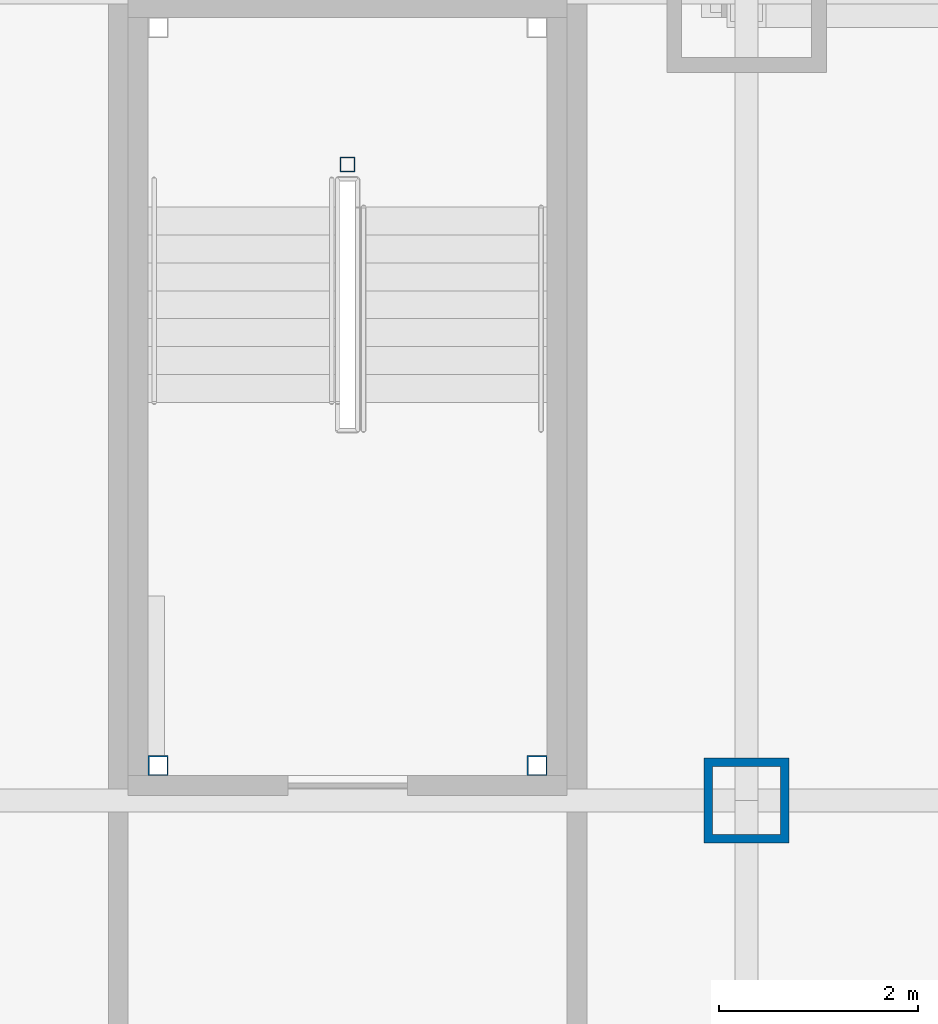
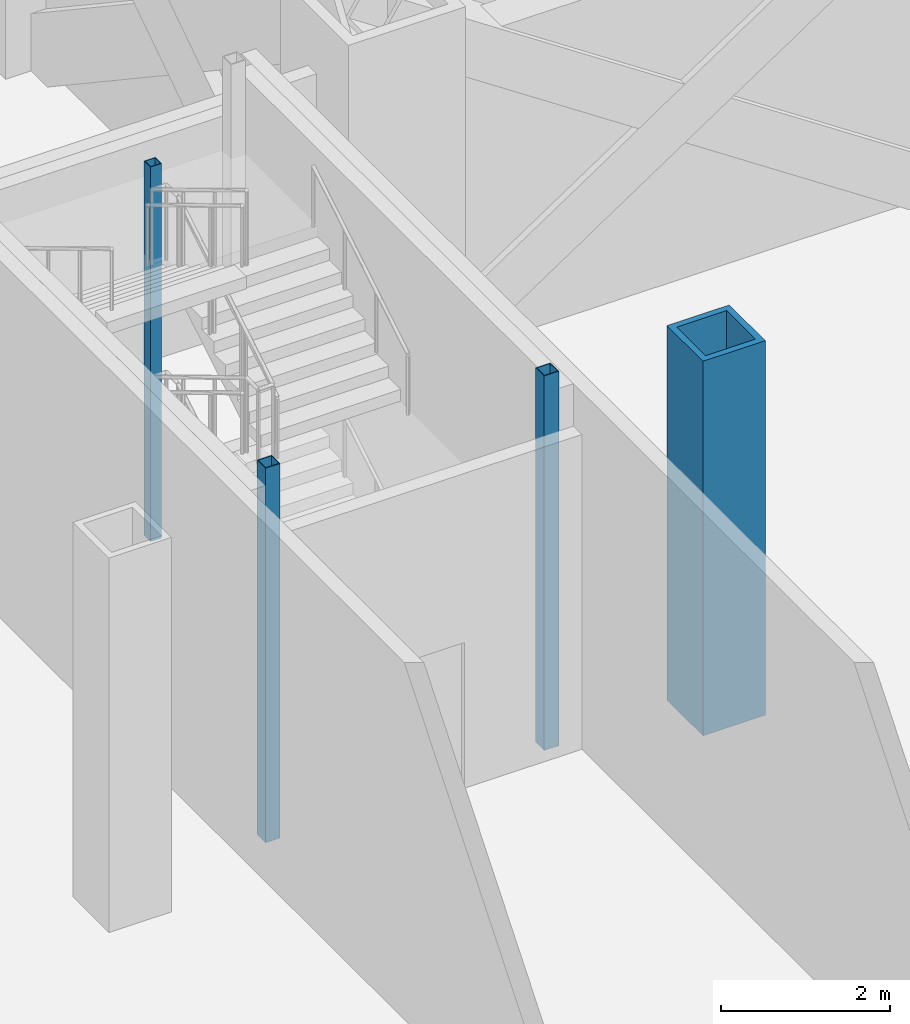
# One storey, part 2 of 30: 4 columns.
"""IFC4 building model written with IfcOpenShell, lengths in metres."""

from ifc_helpers import new_model, si_unit, direction, frame, origin, origin_2d, place, context, subcontext, project, spatial, hollow_rectangle, extrude, material, material_profile, profile_set, type_object, element, save


model = new_model("IFC4")

# Units and contexts
model_context = context("Model", 3, precision=1e-05, world=origin(), true_north=direction((0.0, 1.0)))
body_context = subcontext(model_context, "Body", "Model", "MODEL_VIEW")
ifc_project = project(units=[si_unit("LENGTHUNIT", "METRE"), si_unit("AREAUNIT", "SQUARE_METRE"), si_unit("VOLUMEUNIT", "CUBIC_METRE"), si_unit("PLANEANGLEUNIT", "RADIAN"), si_unit("MASSUNIT", "GRAM", prefix="KILO")], contexts=[model_context])

# Site, building, storey
site_placement = place(None, origin())
site = spatial("IfcSite", under=ifc_project, at=site_placement, CompositionType="ELEMENT")
building_placement = place(site_placement, origin())
building = spatial("IfcBuilding", under=site, at=building_placement, Name="Kopane Lantern Tower", CompositionType="ELEMENT")
storey_placement = place(building_placement, frame((0.0, 0.0, 6.0)))
storey = spatial("IfcBuildingStorey", under=building, at=storey_placement, Name="L01", CompositionType="ELEMENT", Elevation=6.0)

# Columns
ifc_material_1 = material(Name="Steel S355JR", Category="steel")
ifc_material_profile_1 = material_profile(ifc_material_1, hollow_rectangle(XDim=0.85009765625, YDim=0.85009765625, WallThickness=0.0849609375, at=origin_2d()), Name="BOX 850x850x85")
ifc_profile_set_1 = profile_set([ifc_material_profile_1], Name="Steel S355JR")
column_type_1 = type_object("IfcColumnType", Name="COLUMN BOX 850x850x85", PredefinedType="COLUMN", material=ifc_profile_set_1)
column_1_placement = place(storey_placement, frame((16.199951171875, 16.199951171875, 0.0), z_axis=(0.0, 0.0, 1.0), x_axis=(1.0, 0.0, 0.0)))
element("IfcColumn", 1, at=column_1_placement, inside=storey, type_object=column_type_1, Name="Column 4/D L01", PredefinedType="COLUMN", context=body_context, shape_type="SweptSolid", body=[
    extrude(hollow_rectangle(XDim=0.85009765625, YDim=0.85009765625, WallThickness=0.0849609375, at=origin_2d()), origin(), (0.0, 0.0, 1.0), 5.39990234375),
])
ifc_material_2 = material(Name="Steel S355JR", Category="steel")
ifc_material_profile_2 = material_profile(ifc_material_2, hollow_rectangle(XDim=0.14990234375, YDim=0.14990234375, WallThickness=0.010009765625, at=origin_2d()), Name="BOX 150x150x10")
ifc_profile_set_2 = profile_set([ifc_material_profile_2], Name="Steel S355JR")
column_type_2 = type_object("IfcColumnType", Name="STAIR NEWEL POST BOX 150x150x10", PredefinedType="COLUMN", material=ifc_profile_set_2)
column_2_placement = place(storey_placement, frame((12.199951171875, 22.574951171875, 0.0), z_axis=(0.0, 0.0, 1.0), x_axis=(1.0, 0.0, 0.0)))
element("IfcColumn", 2, at=column_2_placement, inside=storey, type_object=column_type_2, Name="Stair newel post ST3 NEWEL L01", PredefinedType="COLUMN", context=body_context, shape_type="SweptSolid", body=[
    extrude(hollow_rectangle(XDim=0.14990234375, YDim=0.14990234375, WallThickness=0.010009765625, at=origin_2d()), origin(), (0.0, 0.0, 1.0), 5.39990234375),
])
ifc_material_3 = material(Name="Steel S355JR", Category="steel")
ifc_material_profile_3 = material_profile(ifc_material_3, hollow_rectangle(XDim=0.199951171875, YDim=0.199951171875, WallThickness=0.011962890625, at=origin_2d()), Name="BOX 200x200x12")
ifc_profile_set_3 = profile_set([ifc_material_profile_3], Name="Steel S355JR")
column_type_3 = type_object("IfcColumnType", Name="STAIR POST BOX 200x200x12", PredefinedType="COLUMN", material=ifc_profile_set_3)
for number, where, z_axis, x_axis, name in (
    (3, (10.300048828125, 16.550048828125, 0.0), (0.0, 0.0, 1.0), (1.0, 0.0, 0.0), "Stair post ST3 SW L01"),
    (4, (14.10009765625, 16.550048828125, 0.0), (0.0, 0.0, 1.0), (1.0, 0.0, 0.0), "Stair post ST3 SE L01"),
):
    element("IfcColumn", number, at=place(storey_placement, frame(where, z_axis=z_axis, x_axis=x_axis)), inside=storey, type_object=column_type_3, Name=name, PredefinedType="COLUMN", context=body_context, shape_type="SweptSolid", body=[
        extrude(hollow_rectangle(XDim=0.199951171875, YDim=0.199951171875, WallThickness=0.011962890625, at=origin_2d()), origin(), (0.0, 0.0, 1.0), 5.39990234375),
    ])

save(model, "model.ifc")
